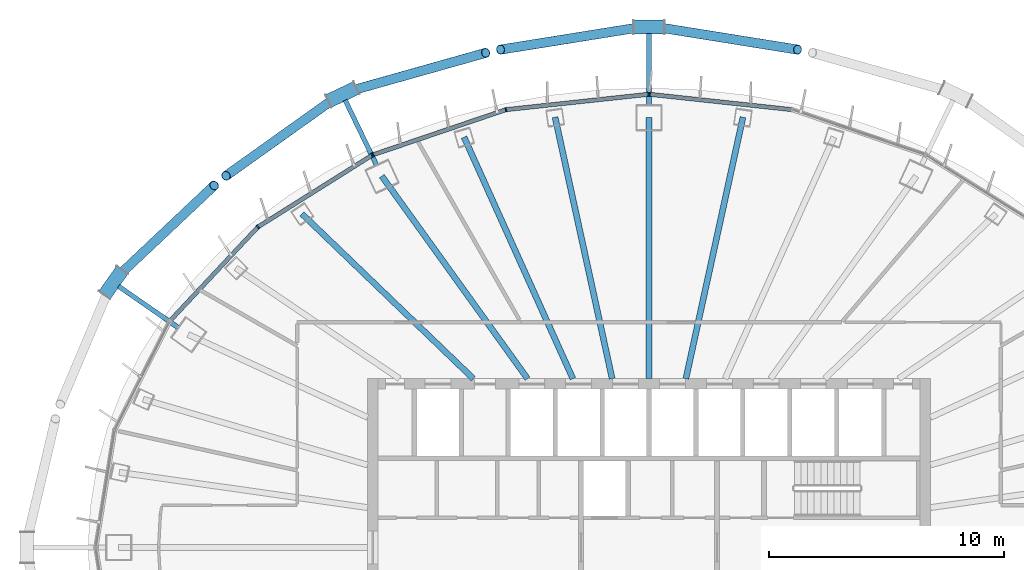
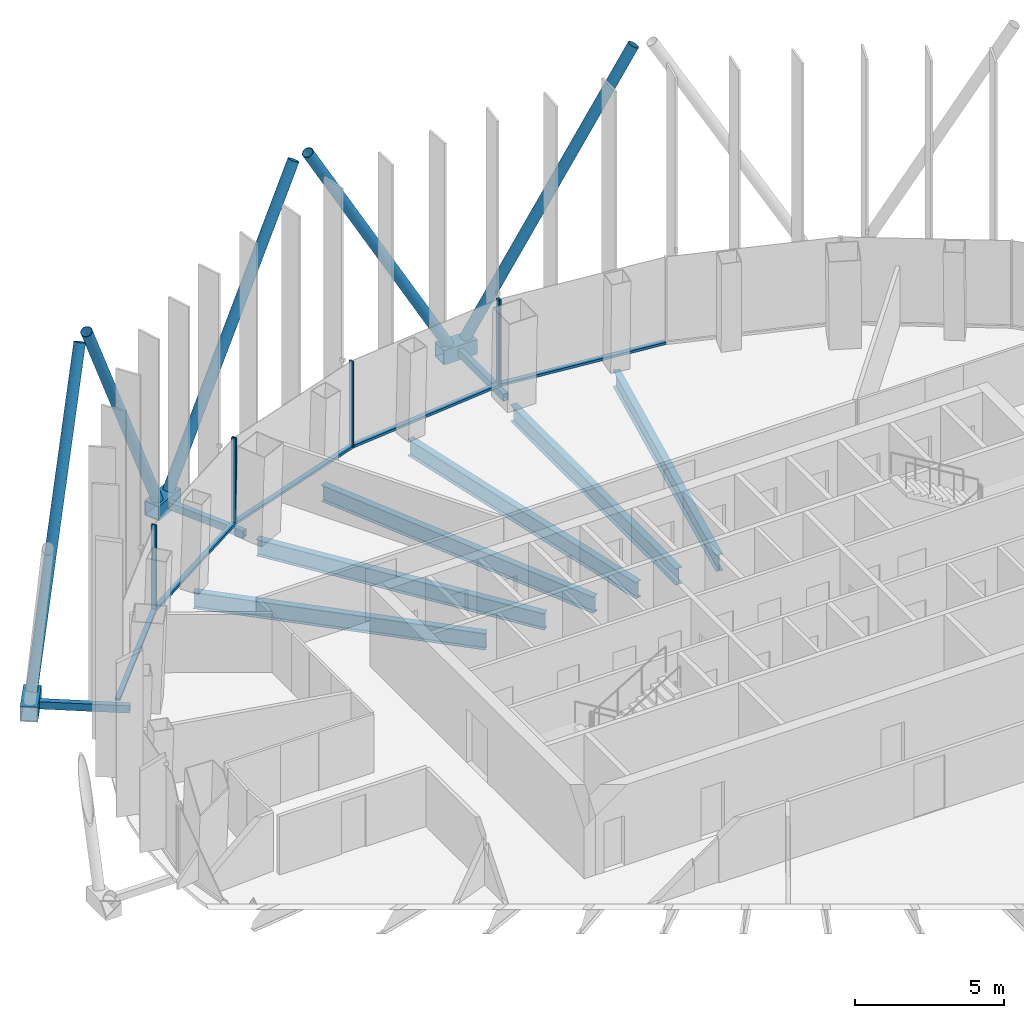
# One storey, part 6 of 19: 22 members, 6 beams, 3 elements without a shape of their own.
"""IFC4 building model written with IfcOpenShell, lengths in metres."""

from ifc_helpers import new_model, si_unit, direction, frame, origin, origin_2d, place, context, subcontext, project, spatial, rectangle, hollow_rectangle, hollow_circle, i_section, extrude, material, layer, layer_set, material_profile, profile_set, type_object, element, aggregate, save


model = new_model("IFC4")

# Units and contexts
model_context = context("Model", 3, precision=1e-05, world=origin(), true_north=direction((0.0, 1.0)))
body_context = subcontext(model_context, "Body", "Model", "MODEL_VIEW")
ifc_project = project(units=[si_unit("LENGTHUNIT", "METRE"), si_unit("AREAUNIT", "SQUARE_METRE"), si_unit("VOLUMEUNIT", "CUBIC_METRE"), si_unit("PLANEANGLEUNIT", "RADIAN"), si_unit("MASSUNIT", "GRAM", prefix="KILO")], contexts=[model_context])

# Site, building, storey
site_placement = place(None, origin())
site = spatial("IfcSite", under=ifc_project, at=site_placement, CompositionType="ELEMENT")
building_placement = place(site_placement, origin())
building = spatial("IfcBuilding", under=site, at=building_placement, Name="Siaravel Broadcast Tower", CompositionType="ELEMENT")
storey_placement = place(building_placement, frame((0.0, 0.0, 168.199951171875)))
storey = spatial("IfcBuildingStorey", under=building, at=storey_placement, Name="L40", CompositionType="ELEMENT", Elevation=168.199951171875)

# Beams
ifc_material_1 = material(Name="Steel S355", Category="steel")
ifc_material_profile_1 = material_profile(ifc_material_1, i_section(OverallWidth=0.2529296875, OverallDepth=0.677978515625, WebThickness=0.01171875, FlangeThickness=0.01611328125, FilletRadius=0.01513671875, at=origin_2d()))
ifc_profile_set_1 = profile_set([ifc_material_profile_1], Name="Steel S355")
beam_type = type_object("IfcBeamType", Name="BM-UB 686x254x125", PredefinedType="BEAM", material=ifc_profile_set_1)
beam_1_placement = place(storey_placement, frame((4.004638671875, 18.343017578125, -0.489013671875), z_axis=(-0.21328447, -0.976990141, 0.0), x_axis=(0.976990141, -0.21328447, 0.0)))
element("IfcBeam", 1, at=beam_1_placement, inside=storey, type_object=beam_type, Name="Radial beam RB09", PredefinedType="BEAM", context=body_context, shape_type="SweptSolid", body=[
    extrude(i_section(OverallWidth=0.2529296875, OverallDepth=0.677978515625, WebThickness=0.01171875, FlangeThickness=0.01611328125, FilletRadius=0.01513671875, at=origin_2d()), origin(), (0.0, 0.0, 1.0), 11.405517578125),
])
beam_2_placement = place(storey_placement, frame((0.0, 18.330078125, -0.489013671875), z_axis=(0.0, -1.0, 0.0), x_axis=(1.0, 0.0, 0.0)))
element("IfcBeam", 2, at=beam_2_placement, inside=storey, type_object=beam_type, Name="Radial beam RB10", PredefinedType="BEAM", context=body_context, shape_type="SweptSolid", body=[
    extrude(i_section(OverallWidth=0.2529296875, OverallDepth=0.677978515625, WebThickness=0.01171875, FlangeThickness=0.01611328125, FilletRadius=0.01513671875, at=origin_2d()), origin(), (0.0, 0.0, 1.0), 11.130126953125),
])
beam_3_placement = place(storey_placement, frame((-4.004638671875, 18.343017578125, -0.489013671875), z_axis=(0.21328447, -0.976990141, 0.0), x_axis=(0.976990141, 0.21328447, 0.0)))
element("IfcBeam", 3, at=beam_3_placement, inside=storey, type_object=beam_type, Name="Radial beam RB11", PredefinedType="BEAM", context=body_context, shape_type="SweptSolid", body=[
    extrude(i_section(OverallWidth=0.2529296875, OverallDepth=0.677978515625, WebThickness=0.01171875, FlangeThickness=0.01611328125, FilletRadius=0.01513671875, at=origin_2d()), origin(), (0.0, 0.0, 1.0), 11.405517578125),
])
beam_4_placement = place(storey_placement, frame((-7.884521484375, 17.491455078125, -0.489013671875), z_axis=(0.410952697, -0.911656668, 0.0), x_axis=(0.911656668, 0.410952697, 0.0)))
element("IfcBeam", 4, at=beam_4_placement, inside=storey, type_object=beam_type, Name="Radial beam RB12", PredefinedType="BEAM", context=body_context, shape_type="SweptSolid", body=[
    extrude(i_section(OverallWidth=0.2529296875, OverallDepth=0.677978515625, WebThickness=0.01171875, FlangeThickness=0.01611328125, FilletRadius=0.01513671875, at=origin_2d()), origin(), (0.0, 0.0, 1.0), 11.288818359375),
])
beam_5_placement = place(storey_placement, frame((-11.39013671875, 15.83251953125, -0.489013671875), z_axis=(0.583995034, -0.81175723, 0.0), x_axis=(0.81175723, 0.583995034, 0.0)))
element("IfcBeam", 5, at=beam_5_placement, inside=storey, type_object=beam_type, Name="Radial beam RB13", PredefinedType="BEAM", context=body_context, shape_type="SweptSolid", body=[
    extrude(i_section(OverallWidth=0.2529296875, OverallDepth=0.677978515625, WebThickness=0.01171875, FlangeThickness=0.01611328125, FilletRadius=0.01513671875, at=origin_2d()), origin(), (0.0, 0.0, 1.0), 10.634521484375),
])
beam_6_placement = place(storey_placement, frame((-14.794189453125, 14.224853515625, -0.489013671875), z_axis=(0.720833528, -0.693108235, 0.0), x_axis=(0.693108235, 0.720833528, 0.0)))
element("IfcBeam", 6, at=beam_6_placement, inside=storey, type_object=beam_type, Name="Radial beam RB14", PredefinedType="BEAM", context=body_context, shape_type="SweptSolid", body=[
    extrude(i_section(OverallWidth=0.2529296875, OverallDepth=0.677978515625, WebThickness=0.01171875, FlangeThickness=0.01611328125, FilletRadius=0.01513671875, at=origin_2d()), origin(), (0.0, 0.0, 1.0), 10.13525390625),
])

# Curtain wall, member
ifc_material_2 = material(Name="Aluminium 6063-T6", Category="aluminium")
ifc_layer = layer(ifc_material_2, 0.179931640625)
ifc_layer_set = layer_set([ifc_layer], Name="Aluminium 6063-T6")
curtain_wall_type = type_object("IfcCurtainWallType", Name="Unitised curtain wall, zone 3", PredefinedType="NOTDEFINED", material=ifc_layer_set)
curtain_wall_1_placement = place(storey_placement, origin())
curtain_wall_1 = element("IfcCurtainWall", 7, at=curtain_wall_1_placement, inside=storey, type_object=curtain_wall_type, Name="L40 Unitised curtain wall, zone 3 03", PredefinedType="NOTDEFINED")
ifc_material_profile_2 = material_profile(ifc_material_2, rectangle(XDim=0.179931640625, YDim=0.06005859375, at=origin_2d()))
ifc_profile_set_2 = profile_set([ifc_material_profile_2], Name="Aluminium 6063-T6")
member_type_1 = type_object("IfcMemberType", Name="CW-Z3 mullion", PredefinedType="MULLION", material=ifc_profile_set_2)
member_1_placement = place(storey_placement, frame((0.02978515625, 19.3193359375, 0.0), z_axis=(0.0, 0.0, 1.0), x_axis=(-0.107217362, -0.994235605, 0.0)))
member_1 = element("IfcMember", 8, at=member_1_placement, type_object=member_type_1, Name="CW-Z3 mullion 3", PredefinedType="MULLION", context=body_context, shape_type="SweptSolid", body=[
    extrude(rectangle(XDim=0.179931640625, YDim=0.06005859375, at=origin_2d()), origin(), (0.0, 0.0, 1.0), 3.550048828125),
])

# Curtain wall, members
curtain_wall_2_placement = place(storey_placement, origin())
curtain_wall_2 = element("IfcCurtainWall", 9, at=curtain_wall_2_placement, inside=storey, type_object=curtain_wall_type, Name="L40 Unitised curtain wall, zone 3 04", PredefinedType="NOTDEFINED")
member_2_placement = place(storey_placement, frame((-0.02978515625, 19.3193359375, 0.0), z_axis=(0.0, 0.0, 1.0), x_axis=(0.107217362, -0.994235605, 0.0)))
member_2 = element("IfcMember", 10, at=member_2_placement, type_object=member_type_1, Name="CW-Z3 mullion 1", PredefinedType="MULLION", context=body_context, shape_type="SweptSolid", body=[
    extrude(rectangle(XDim=0.179931640625, YDim=0.06005859375, at=origin_2d()), origin(), (0.0, 0.0, 1.0), 3.550048828125),
])
member_3_placement = place(storey_placement, frame((-6.100341796875, 18.664794921875, 0.0), z_axis=(0.0, 0.0, 1.0), x_axis=(0.215557831, -0.976491076, 0.0)))
member_3 = element("IfcMember", 11, at=member_3_placement, type_object=member_type_1, Name="CW-Z3 mullion 2", PredefinedType="MULLION", context=body_context, shape_type="SweptSolid", body=[
    extrude(rectangle(XDim=0.179931640625, YDim=0.06005859375, at=origin_2d()), origin(), (0.0, 0.0, 1.0), 3.550048828125),
])
member_4_placement = place(storey_placement, frame((-11.75732421875, 16.745361328125, 0.0), z_axis=(0.0, 0.0, 1.0), x_axis=(0.321300283, -0.946977364, 0.0)))
member_4 = element("IfcMember", 12, at=member_4_placement, type_object=member_type_1, Name="CW-Z3 mullion 3", PredefinedType="MULLION", context=body_context, shape_type="SweptSolid", body=[
    extrude(rectangle(XDim=0.179931640625, YDim=0.06005859375, at=origin_2d()), origin(), (0.0, 0.0, 1.0), 3.550048828125),
])

curtain_wall_3_placement = place(storey_placement, origin())
curtain_wall_3 = element("IfcCurtainWall", 13, at=curtain_wall_3_placement, inside=storey, type_object=curtain_wall_type, Name="L40 Unitised curtain wall, zone 3 05", PredefinedType="NOTDEFINED")
member_5_placement = place(storey_placement, frame((-11.81103515625, 16.7197265625, 0.0), z_axis=(0.0, 0.0, 1.0), x_axis=(0.532148789, -0.846650852, 0.0)))
member_5 = element("IfcMember", 14, at=member_5_placement, type_object=member_type_1, Name="CW-Z3 mullion 1", PredefinedType="MULLION", context=body_context, shape_type="SweptSolid", body=[
    extrude(rectangle(XDim=0.179931640625, YDim=0.06005859375, at=origin_2d()), origin(), (0.0, 0.0, 1.0), 3.550048828125),
])
member_6_placement = place(storey_placement, frame((-16.6689453125, 13.66650390625, 0.0), z_axis=(0.0, 0.0, 1.0), x_axis=(0.63621823, -0.771509147, 0.0)))
member_6 = element("IfcMember", 15, at=member_6_placement, type_object=member_type_1, Name="CW-Z3 mullion 2", PredefinedType="MULLION", context=body_context, shape_type="SweptSolid", body=[
    extrude(rectangle(XDim=0.179931640625, YDim=0.06005859375, at=origin_2d()), origin(), (0.0, 0.0, 1.0), 3.550048828125),
])

# Member
ifc_material_profile_3 = material_profile(ifc_material_2, rectangle(XDim=0.179931640625, YDim=0.10009765625, at=origin_2d()))
ifc_profile_set_3 = profile_set([ifc_material_profile_3], Name="Aluminium 6063-T6")
member_type_2 = type_object("IfcMemberType", Name="CW-Z3 transom", PredefinedType="USERDEFINED", material=ifc_profile_set_3)
member_7_placement = place(storey_placement, frame((6.070556640625, 18.66796875, 0.050048828125), z_axis=(-0.994235587, 0.107217526, 0.0), x_axis=(-0.107217526, -0.994235587, 0.0)))
member_7 = element("IfcMember", 16, at=member_7_placement, type_object=member_type_2, Name="CW-Z3 transom 2", ObjectType="TRANSOM", PredefinedType="USERDEFINED", context=body_context, shape_type="SweptSolid", body=[
    extrude(rectangle(XDim=0.179931640625, YDim=0.10009765625, at=origin_2d()), origin(), (0.0, 0.0, 1.0), 6.045654296875),
])

aggregate(curtain_wall_1, [member_1, member_7])

member_8_placement = place(storey_placement, frame((-0.059814453125, 19.316162109375, 0.050048828125), z_axis=(-0.994235587, -0.107217526, 0.0), x_axis=(0.107217526, -0.994235587, 0.0)))
member_8 = element("IfcMember", 17, at=member_8_placement, type_object=member_type_2, Name="CW-Z3 transom 1", ObjectType="TRANSOM", PredefinedType="USERDEFINED", context=body_context, shape_type="SweptSolid", body=[
    extrude(rectangle(XDim=0.179931640625, YDim=0.10009765625, at=origin_2d()), origin(), (0.0, 0.0, 1.0), 6.045654296875),
])

member_9_placement = place(storey_placement, frame((-6.12890625, 18.655029296875, 0.050048828125), z_axis=(-0.946972868, -0.321313534, 0.0), x_axis=(0.321313534, -0.946972868, 0.0)))
member_9 = element("IfcMember", 18, at=member_9_placement, type_object=member_type_2, Name="CW-Z3 transom 2", ObjectType="TRANSOM", PredefinedType="USERDEFINED", context=body_context, shape_type="SweptSolid", body=[
    extrude(rectangle(XDim=0.179931640625, YDim=0.10009765625, at=origin_2d()), origin(), (0.0, 0.0, 1.0), 5.91357421875),
])

aggregate(curtain_wall_2, [member_2, member_3, member_4, member_8, member_9])

member_10_placement = place(storey_placement, frame((-11.83642578125, 16.703857421875, 0.050048828125), z_axis=(-0.84664762, -0.532153933, 0.0), x_axis=(0.532153933, -0.84664762, 0.0)))
member_10 = element("IfcMember", 19, at=member_10_placement, type_object=member_type_2, Name="CW-Z3 transom 1", ObjectType="TRANSOM", PredefinedType="USERDEFINED", context=body_context, shape_type="SweptSolid", body=[
    extrude(rectangle(XDim=0.179931640625, YDim=0.10009765625, at=origin_2d()), origin(), (0.0, 0.0, 1.0), 5.677734375),
])

member_11_placement = place(storey_placement, frame((-16.689453125, 13.64453125, 0.050048828125), z_axis=(-0.683663984, -0.729796929, 0.0), x_axis=(0.729796929, -0.683663984, 0.0)))
member_11 = element("IfcMember", 20, at=member_11_placement, type_object=member_type_2, Name="CW-Z3 transom 2", ObjectType="TRANSOM", PredefinedType="USERDEFINED", context=body_context, shape_type="SweptSolid", body=[
    extrude(rectangle(XDim=0.179931640625, YDim=0.10009765625, at=origin_2d()), origin(), (0.0, 0.0, 1.0), 5.392578125),
])

aggregate(curtain_wall_3, [member_5, member_6, member_10, member_11])

# Members
ifc_material_3 = material(Name="Steel S460", Category="steel")
ifc_material_profile_4 = material_profile(ifc_material_3, hollow_circle(Radius=0.203125, WallThickness=0.01611328125, at=origin_2d()))
ifc_profile_set_4 = profile_set([ifc_material_profile_4], Name="Steel S460")
member_type_3 = type_object("IfcMemberType", Name="Diagrid diagonal CHS 406.4x16", PredefinedType="BRACE", material=ifc_profile_set_4)
for number, where, z_axis, x_axis, name in (
    (21, (0.323486328125, 22.187255859375, 0.070068359375), (0.492934034, -0.078967203, 0.866475747), (0.158181431, 0.987410064, 0.0), "Diagrid diagonal R17 station 18C"),
    (22, (-0.323486328125, 22.187255859375, 0.070068359375), (-0.492934034, -0.078967203, 0.866475747), (0.158181431, -0.987410064, 0.0), "Diagrid diagonal R17 station 18A"),
):
    element("IfcMember", number, at=place(storey_placement, frame(where, z_axis=z_axis, x_axis=x_axis)), inside=storey, type_object=member_type_3, Name=name, PredefinedType="BRACE", context=body_context, shape_type="SweptSolid", body=[
        extrude(hollow_circle(Radius=0.203125, WallThickness=0.01611328125, at=origin_2d()), origin(), (0.0, 0.0, 1.0), 12.187255859375),
    ])
member_12_placement = place(storey_placement, frame((-12.775390625, 19.451904296875, 0.070068359375), z_axis=(0.477816118, 0.134351287, 0.868125273), x_axis=(-0.270681171, 0.962669052, 0.0)))
element("IfcMember", 23, at=member_12_placement, inside=storey, type_object=member_type_3, Name="Diagrid diagonal R17 station 24C", PredefinedType="BRACE", context=body_context, shape_type="SweptSolid", body=[
    extrude(hollow_circle(Radius=0.203125, WallThickness=0.01611328125, at=origin_2d()), origin(), (0.0, 0.0, 1.0), 12.164306640625),
])
member_13_placement = place(storey_placement, frame((-13.3603515625, 19.17529296875, 0.070068359375), z_axis=(-0.388888457, -0.277147773, 0.878609629), x_axis=(0.580364716, -0.814356676, 0.0)))
element("IfcMember", 24, at=member_13_placement, inside=storey, type_object=member_type_3, Name="Diagrid diagonal R17 station 24A", PredefinedType="BRACE", context=body_context, shape_type="SweptSolid", body=[
    extrude(hollow_circle(Radius=0.203125, WallThickness=0.01611328125, at=origin_2d()), origin(), (0.0, 0.0, 1.0), 12.01904296875),
])
member_14_placement = place(storey_placement, frame((-22.647705078125, 11.555908203125, 0.070068359375), z_axis=(0.343347075, 0.323779655, 0.881634573), x_axis=(-0.68607166, 0.72753397, 0.0)))
element("IfcMember", 25, at=member_14_placement, inside=storey, type_object=member_type_3, Name="Diagrid diagonal R17 station 30C", PredefinedType="BRACE", context=body_context, shape_type="SweptSolid", body=[
    extrude(hollow_circle(Radius=0.203125, WallThickness=0.01611328125, at=origin_2d()), origin(), (0.0, 0.0, 1.0), 11.977783203125),
])
ifc_material_profile_5 = material_profile(ifc_material_3, hollow_rectangle(XDim=0.60009765625, YDim=0.60009765625, WallThickness=0.031982421875, at=origin_2d()))
ifc_profile_set_5 = profile_set([ifc_material_profile_5], Name="Steel S460")
member_type_4 = type_object("IfcMemberType", Name="Diagrid node BOX 600x600x32", PredefinedType="USERDEFINED", material=ifc_profile_set_5)
for number, where, z_axis, x_axis, name in (
    (26, (0.646728515625, 22.187255859375, -0.199951171875), (-1.0, 0.0, 0.0), (0.0, -1.0, 0.0), "Diagrid node R17 station 18"),
    (27, (-12.4833984375, 19.590087890625, -0.199951171875), (-0.903991359, -0.427550726, 0.0), (0.427550726, -0.903991359, 0.0), "Diagrid node R17 station 24"),
    (28, (-22.461669921875, 11.8203125, -0.199951171875), (-0.576030928, -0.817427899, 0.0), (0.817427899, -0.576030928, 0.0), "Diagrid node R17 station 30"),
):
    element("IfcMember", number, at=place(storey_placement, frame(where, z_axis=z_axis, x_axis=x_axis)), inside=storey, type_object=member_type_4, Name=name, ObjectType="DIAGRID NODE", PredefinedType="USERDEFINED", context=body_context, shape_type="SweptSolid", body=[
        extrude(hollow_rectangle(XDim=0.60009765625, YDim=0.60009765625, WallThickness=0.031982421875, at=origin_2d()), origin(), (0.0, 0.0, 1.0), 1.29345703125),
    ])
ifc_material_profile_6 = material_profile(ifc_material_3, hollow_rectangle(XDim=0.199951171875, YDim=0.300048828125, WallThickness=0.012451171875, at=origin_2d()))
ifc_profile_set_6 = profile_set([ifc_material_profile_6], Name="Steel S460")
member_type_5 = type_object("IfcMemberType", Name="Diagrid node arm RHS 300x200x12.5", PredefinedType="STRUT", material=ifc_profile_set_6)
member_15_placement = place(storey_placement, frame((0.0, 18.85009765625, -0.199951171875), z_axis=(0.0, 1.0, 0.0), x_axis=(-1.0, 0.0, 0.0)))
element("IfcMember", 29, at=member_15_placement, inside=storey, type_object=member_type_5, Name="Node arm R17 station 18", PredefinedType="STRUT", context=body_context, shape_type="SweptSolid", body=[
    extrude(hollow_rectangle(XDim=0.199951171875, YDim=0.300048828125, WallThickness=0.012451171875, at=origin_2d()), origin(), (0.0, 0.0, 1.0), 3.067138671875),
])
member_16_placement = place(storey_placement, frame((-11.615966796875, 16.30078125, -0.199951171875), z_axis=(-0.434142698, 0.900844114, 0.0), x_axis=(-0.900844114, -0.434142698, 0.0)))
element("IfcMember", 30, at=member_16_placement, inside=storey, type_object=member_type_5, Name="Node arm R17 station 24", PredefinedType="STRUT", context=body_context, shape_type="SweptSolid", body=[
    extrude(hollow_rectangle(XDim=0.199951171875, YDim=0.300048828125, WallThickness=0.012451171875, at=origin_2d()), origin(), (0.0, 0.0, 1.0), 3.074462890625),
])
member_17_placement = place(storey_placement, frame((-20.071044921875, 9.377197265625, -0.199951171875), z_axis=(-0.822015888, 0.569464556, 0.0), x_axis=(-0.569464556, -0.822015888, 0.0)))
element("IfcMember", 31, at=member_17_placement, inside=storey, type_object=member_type_5, Name="Node arm R17 station 30", PredefinedType="STRUT", context=body_context, shape_type="SweptSolid", body=[
    extrude(hollow_rectangle(XDim=0.199951171875, YDim=0.300048828125, WallThickness=0.012451171875, at=origin_2d()), origin(), (0.0, 0.0, 1.0), 3.091552734375),
])

save(model, "model.ifc")
